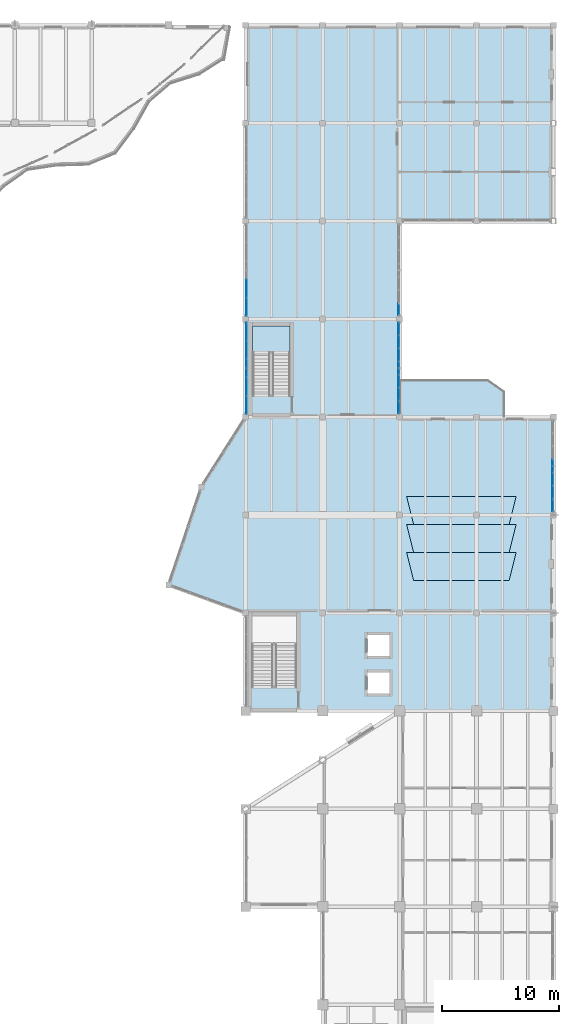
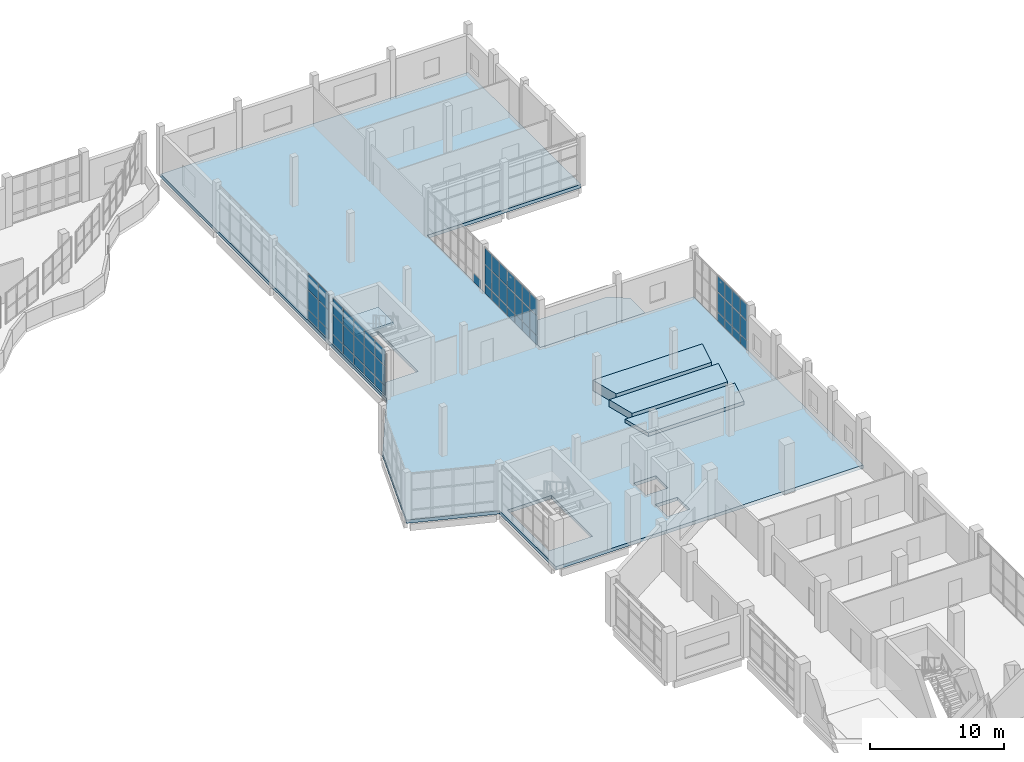
# One storey, part 40 of 76: 55 plates, 6 slabs, 6 elements without a shape of their own.
"""IFC4 building model written with IfcOpenShell, lengths in metres."""

from ifc_helpers import new_model, si_unit, direction, frame, origin, origin_2d, place, context, subcontext, project, spatial, polyline, rectangle, outline, extrude, material, layer, layer_set, type_object, element, aggregate, save


model = new_model("IFC4")

# Units and contexts
model_context = context("Model", 3, precision=1e-05, world=origin(), true_north=direction((0.0, 1.0)))
body_context = subcontext(model_context, "Body", "Model", "MODEL_VIEW")
ifc_project = project(units=[si_unit("LENGTHUNIT", "METRE"), si_unit("AREAUNIT", "SQUARE_METRE"), si_unit("VOLUMEUNIT", "CUBIC_METRE"), si_unit("PLANEANGLEUNIT", "RADIAN"), si_unit("MASSUNIT", "GRAM", prefix="KILO")], contexts=[model_context])

# Site, building, storey
site_placement = place(None, origin())
site = spatial("IfcSite", under=ifc_project, at=site_placement, CompositionType="ELEMENT")
building_placement = place(site_placement, origin())
building = spatial("IfcBuilding", under=site, at=building_placement, Name="Qaldarim Faculty of Natural and Applied Sciences", CompositionType="ELEMENT")
storey_placement = place(building_placement, frame((0.0, 0.0, 9.89990234375)))
storey = spatial("IfcBuildingStorey", under=building, at=storey_placement, Name="L02", CompositionType="ELEMENT", Elevation=9.89990234375)

# Slabs
ifc_material_1 = material(Name="Concrete C40/50", Category="concrete")
ifc_layer_1 = layer(ifc_material_1, 0.239990234375)
ifc_layer_set_1 = layer_set([ifc_layer_1], Name="Concrete C40/50")
slab_type_1 = type_object("IfcSlabType", Name="LectureSeatingTier-240", PredefinedType="USERDEFINED", material=ifc_layer_set_1)
slab_1_placement = place(storey_placement, origin())
element("IfcSlab", 1, at=slab_1_placement, inside=storey, type_object=slab_type_1, Name="Commons stepped reading tier L02 step 1", ObjectType="SEATING TIER", PredefinedType="USERDEFINED", context=body_context, shape_type="SweptSolid", body=[
    extrude(outline(polyline([(166.199951171875, 70.0), (174.39990234375, 70.0), (175.0, 72.39990234375), (165.60009765625, 72.39990234375), (166.199951171875, 70.0)])), origin(), (0.0, 0.0, 1.0), 0.320068359375),
])
slab_2_placement = place(storey_placement, origin())
element("IfcSlab", 2, at=slab_2_placement, inside=storey, type_object=slab_type_1, Name="Commons stepped reading tier L02 step 2", ObjectType="SEATING TIER", PredefinedType="USERDEFINED", context=body_context, shape_type="SweptSolid", body=[
    extrude(outline(polyline([(166.199951171875, 72.39990234375), (174.39990234375, 72.39990234375), (175.0, 74.800048828125), (165.60009765625, 74.800048828125), (166.199951171875, 72.39990234375)])), origin(), (0.0, 0.0, 1.0), 0.64013671875),
])
slab_3_placement = place(storey_placement, origin())
element("IfcSlab", 3, at=slab_3_placement, inside=storey, type_object=slab_type_1, Name="Commons stepped reading tier L02 step 3", ObjectType="SEATING TIER", PredefinedType="USERDEFINED", context=body_context, shape_type="SweptSolid", body=[
    extrude(outline(polyline([(166.199951171875, 74.800048828125), (174.39990234375, 74.800048828125), (175.0, 77.199951171875), (165.60009765625, 77.199951171875), (166.199951171875, 74.800048828125)])), origin(), (0.0, 0.0, 1.0), 0.960205078125),
])
ifc_layer_2 = layer(ifc_material_1, 0.300048828125)
ifc_layer_set_2 = layer_set([ifc_layer_2], Name="Concrete C40/50")
slab_type_2 = type_object("IfcSlabType", Name="PodiumFloorSlab-300", PredefinedType="FLOOR", material=ifc_layer_set_2)
slab_4_placement = place(storey_placement, frame((0.0, 0.0, -0.2998046875)))
element("IfcSlab", 4, at=slab_4_placement, inside=storey, type_object=slab_type_2, Name="Floor slab L02 V3", PredefinedType="FLOOR", context=body_context, shape_type="SweptSolid", body=[
    extrude(outline(polyline([(148.0, 78.0), (151.800048828125, 84.0), (151.800048828125, 117.60009765625), (178.199951171875, 117.60009765625), (178.199951171875, 100.800048828125), (165.0, 100.800048828125), (165.0, 84.0), (178.199951171875, 84.0), (178.199951171875, 58.800048828125), (151.800048828125, 58.800048828125), (151.800048828125, 67.199951171875), (145.199951171875, 69.60009765625), (148.0, 78.0)]), holes=[polyline([(156.14990234375, 60.864990234375), (156.14990234375, 66.97509765625), (152.35009765625, 66.97509765625), (152.35009765625, 60.864990234375), (156.14990234375, 60.864990234375)]), polyline([(155.60009765625, 85.864990234375), (155.60009765625, 91.824951171875), (152.39990234375, 91.824951171875), (152.39990234375, 85.864990234375), (155.60009765625, 85.864990234375)]), polyline([(162.25, 60.300048828125), (164.14990234375, 60.300048828125), (164.14990234375, 62.10009765625), (162.25, 62.10009765625), (162.25, 60.300048828125)]), polyline([(162.25, 63.5), (164.14990234375, 63.5), (164.14990234375, 65.300048828125), (162.25, 65.300048828125), (162.25, 63.5)])]), origin(), (0.0, 0.0, 1.0), 0.2998046875),
])

# Curtain wall, plates
ifc_material_2 = material(Name="Anodised aluminium AW-6063", Category="aluminium")
curtain_wall_type_1 = type_object("IfcCurtainWallType", Name="CurtainWallSystem-M1200", PredefinedType="USERDEFINED", material=ifc_material_2)
curtain_wall_1_placement = place(storey_placement, origin())
curtain_wall_1 = element("IfcCurtainWall", 5, at=curtain_wall_1_placement, inside=storey, type_object=curtain_wall_type_1, Name="Curtain wall CW-L02-E-X25Y11", ObjectType="STICK CURTAIN WALL", PredefinedType="USERDEFINED")
ifc_material_3 = material(Name="Insulated low-e double glazing", Category="glass")
ifc_layer_3 = layer(ifc_material_3, 0.031982421875)
ifc_layer_set_3 = layer_set([ifc_layer_3], Name="Insulated low-e double glazing")
plate_type_1 = type_object("IfcPlateType", Name="SolarControlGlazingPanel-32", PredefinedType="CURTAIN_PANEL", material=ifc_layer_set_3)
plate_1_placement = place(storey_placement, frame((164.919921875, 84.827392578125, 0.070068359375), z_axis=(0.0, 0.0, 1.0), x_axis=(0.0, 1.0, 0.0)))
plate_1 = element("IfcPlate", 6, at=plate_1_placement, type_object=plate_type_1, Name="Glazed panel 1-1 of CW-L02-E-X25Y11", PredefinedType="CURTAIN_PANEL", context=body_context, shape_type="SweptSolid", body=[
    extrude(rectangle(XDim=1.02490234375, YDim=0.031982421875, at=origin_2d()), origin(), (0.0, 0.0, 1.0), 0.794921875),
])
plate_2_placement = place(storey_placement, frame((164.919921875, 84.827392578125, 0.93505859375), z_axis=(0.0, 0.0, 1.0), x_axis=(0.0, 1.0, 0.0)))
plate_2 = element("IfcPlate", 7, at=plate_2_placement, type_object=plate_type_1, Name="Glazed panel 1-2 of CW-L02-E-X25Y11", PredefinedType="CURTAIN_PANEL", context=body_context, shape_type="SweptSolid", body=[
    extrude(rectangle(XDim=1.02490234375, YDim=0.031982421875, at=origin_2d()), origin(), (0.0, 0.0, 1.0), 1.72998046875),
])
plate_3_placement = place(storey_placement, frame((164.919921875, 84.827392578125, 2.735107421875), z_axis=(0.0, 0.0, 1.0), x_axis=(0.0, 1.0, 0.0)))
plate_3 = element("IfcPlate", 8, at=plate_3_placement, type_object=plate_type_1, Name="Glazed panel 1-3 of CW-L02-E-X25Y11", PredefinedType="CURTAIN_PANEL", context=body_context, shape_type="SweptSolid", body=[
    extrude(rectangle(XDim=1.02490234375, YDim=0.031982421875, at=origin_2d()), origin(), (0.0, 0.0, 1.0), 1.43505859375),
])
plate_4_placement = place(storey_placement, frame((164.919921875, 85.93994140625, 0.070068359375), z_axis=(0.0, 0.0, 1.0), x_axis=(0.0, 1.0, 0.0)))
plate_4 = element("IfcPlate", 9, at=plate_4_placement, type_object=plate_type_1, Name="Glazed panel 2-1 of CW-L02-E-X25Y11", PredefinedType="CURTAIN_PANEL", context=body_context, shape_type="SweptSolid", body=[
    extrude(rectangle(XDim=1.06005859375, YDim=0.031982421875, at=origin_2d()), origin(), (0.0, 0.0, 1.0), 0.794921875),
])
plate_5_placement = place(storey_placement, frame((164.919921875, 85.93994140625, 0.93505859375), z_axis=(0.0, 0.0, 1.0), x_axis=(0.0, 1.0, 0.0)))
plate_5 = element("IfcPlate", 10, at=plate_5_placement, type_object=plate_type_1, Name="Glazed panel 2-2 of CW-L02-E-X25Y11", PredefinedType="CURTAIN_PANEL", context=body_context, shape_type="SweptSolid", body=[
    extrude(rectangle(XDim=1.06005859375, YDim=0.031982421875, at=origin_2d()), origin(), (0.0, 0.0, 1.0), 1.72998046875),
])
plate_6_placement = place(storey_placement, frame((164.919921875, 85.93994140625, 2.735107421875), z_axis=(0.0, 0.0, 1.0), x_axis=(0.0, 1.0, 0.0)))
plate_6 = element("IfcPlate", 11, at=plate_6_placement, type_object=plate_type_1, Name="Glazed panel 2-3 of CW-L02-E-X25Y11", PredefinedType="CURTAIN_PANEL", context=body_context, shape_type="SweptSolid", body=[
    extrude(rectangle(XDim=1.06005859375, YDim=0.031982421875, at=origin_2d()), origin(), (0.0, 0.0, 1.0), 1.43505859375),
])
plate_7_placement = place(storey_placement, frame((164.919921875, 87.070068359375, 0.070068359375), z_axis=(0.0, 0.0, 1.0), x_axis=(0.0, 1.0, 0.0)))
plate_7 = element("IfcPlate", 12, at=plate_7_placement, type_object=plate_type_1, Name="Glazed panel 3-1 of CW-L02-E-X25Y11", PredefinedType="CURTAIN_PANEL", context=body_context, shape_type="SweptSolid", body=[
    extrude(rectangle(XDim=1.06005859375, YDim=0.031982421875, at=origin_2d()), origin(), (0.0, 0.0, 1.0), 0.794921875),
])
plate_8_placement = place(storey_placement, frame((164.919921875, 87.070068359375, 0.93505859375), z_axis=(0.0, 0.0, 1.0), x_axis=(0.0, 1.0, 0.0)))
plate_8 = element("IfcPlate", 13, at=plate_8_placement, type_object=plate_type_1, Name="Glazed panel 3-2 of CW-L02-E-X25Y11", PredefinedType="CURTAIN_PANEL", context=body_context, shape_type="SweptSolid", body=[
    extrude(rectangle(XDim=1.06005859375, YDim=0.031982421875, at=origin_2d()), origin(), (0.0, 0.0, 1.0), 1.72998046875),
])
plate_9_placement = place(storey_placement, frame((164.919921875, 87.070068359375, 2.735107421875), z_axis=(0.0, 0.0, 1.0), x_axis=(0.0, 1.0, 0.0)))
plate_9 = element("IfcPlate", 14, at=plate_9_placement, type_object=plate_type_1, Name="Glazed panel 3-3 of CW-L02-E-X25Y11", PredefinedType="CURTAIN_PANEL", context=body_context, shape_type="SweptSolid", body=[
    extrude(rectangle(XDim=1.06005859375, YDim=0.031982421875, at=origin_2d()), origin(), (0.0, 0.0, 1.0), 1.43505859375),
])
plate_10_placement = place(storey_placement, frame((164.919921875, 88.199951171875, 0.070068359375), z_axis=(0.0, 0.0, 1.0), x_axis=(0.0, 1.0, 0.0)))
plate_10 = element("IfcPlate", 15, at=plate_10_placement, type_object=plate_type_1, Name="Glazed panel 4-1 of CW-L02-E-X25Y11", PredefinedType="CURTAIN_PANEL", context=body_context, shape_type="SweptSolid", body=[
    extrude(rectangle(XDim=1.06005859375, YDim=0.031982421875, at=origin_2d()), origin(), (0.0, 0.0, 1.0), 0.794921875),
])
plate_11_placement = place(storey_placement, frame((164.919921875, 88.199951171875, 0.93505859375), z_axis=(0.0, 0.0, 1.0), x_axis=(0.0, 1.0, 0.0)))
plate_11 = element("IfcPlate", 16, at=plate_11_placement, type_object=plate_type_1, Name="Glazed panel 4-2 of CW-L02-E-X25Y11", PredefinedType="CURTAIN_PANEL", context=body_context, shape_type="SweptSolid", body=[
    extrude(rectangle(XDim=1.06005859375, YDim=0.031982421875, at=origin_2d()), origin(), (0.0, 0.0, 1.0), 1.72998046875),
])
plate_12_placement = place(storey_placement, frame((164.919921875, 88.199951171875, 2.735107421875), z_axis=(0.0, 0.0, 1.0), x_axis=(0.0, 1.0, 0.0)))
plate_12 = element("IfcPlate", 17, at=plate_12_placement, type_object=plate_type_1, Name="Glazed panel 4-3 of CW-L02-E-X25Y11", PredefinedType="CURTAIN_PANEL", context=body_context, shape_type="SweptSolid", body=[
    extrude(rectangle(XDim=1.06005859375, YDim=0.031982421875, at=origin_2d()), origin(), (0.0, 0.0, 1.0), 1.43505859375),
])
plate_13_placement = place(storey_placement, frame((164.919921875, 89.330078125, 0.070068359375), z_axis=(0.0, 0.0, 1.0), x_axis=(0.0, 1.0, 0.0)))
plate_13 = element("IfcPlate", 18, at=plate_13_placement, type_object=plate_type_1, Name="Glazed panel 5-1 of CW-L02-E-X25Y11", PredefinedType="CURTAIN_PANEL", context=body_context, shape_type="SweptSolid", body=[
    extrude(rectangle(XDim=1.06005859375, YDim=0.031982421875, at=origin_2d()), origin(), (0.0, 0.0, 1.0), 0.794921875),
])
plate_14_placement = place(storey_placement, frame((164.919921875, 89.330078125, 0.93505859375), z_axis=(0.0, 0.0, 1.0), x_axis=(0.0, 1.0, 0.0)))
plate_14 = element("IfcPlate", 19, at=plate_14_placement, type_object=plate_type_1, Name="Glazed panel 5-2 of CW-L02-E-X25Y11", PredefinedType="CURTAIN_PANEL", context=body_context, shape_type="SweptSolid", body=[
    extrude(rectangle(XDim=1.06005859375, YDim=0.031982421875, at=origin_2d()), origin(), (0.0, 0.0, 1.0), 1.72998046875),
])
plate_15_placement = place(storey_placement, frame((164.919921875, 89.330078125, 2.735107421875), z_axis=(0.0, 0.0, 1.0), x_axis=(0.0, 1.0, 0.0)))
plate_15 = element("IfcPlate", 20, at=plate_15_placement, type_object=plate_type_1, Name="Glazed panel 5-3 of CW-L02-E-X25Y11", PredefinedType="CURTAIN_PANEL", context=body_context, shape_type="SweptSolid", body=[
    extrude(rectangle(XDim=1.06005859375, YDim=0.031982421875, at=origin_2d()), origin(), (0.0, 0.0, 1.0), 1.43505859375),
])
plate_16_placement = place(storey_placement, frame((164.919921875, 90.4599609375, 0.070068359375), z_axis=(0.0, 0.0, 1.0), x_axis=(0.0, 1.0, 0.0)))
plate_16 = element("IfcPlate", 21, at=plate_16_placement, type_object=plate_type_1, Name="Glazed panel 6-1 of CW-L02-E-X25Y11", PredefinedType="CURTAIN_PANEL", context=body_context, shape_type="SweptSolid", body=[
    extrude(rectangle(XDim=1.06005859375, YDim=0.031982421875, at=origin_2d()), origin(), (0.0, 0.0, 1.0), 0.794921875),
])
plate_17_placement = place(storey_placement, frame((164.919921875, 90.4599609375, 0.93505859375), z_axis=(0.0, 0.0, 1.0), x_axis=(0.0, 1.0, 0.0)))
plate_17 = element("IfcPlate", 22, at=plate_17_placement, type_object=plate_type_1, Name="Glazed panel 6-2 of CW-L02-E-X25Y11", PredefinedType="CURTAIN_PANEL", context=body_context, shape_type="SweptSolid", body=[
    extrude(rectangle(XDim=1.06005859375, YDim=0.031982421875, at=origin_2d()), origin(), (0.0, 0.0, 1.0), 1.72998046875),
])
plate_18_placement = place(storey_placement, frame((164.919921875, 90.4599609375, 2.735107421875), z_axis=(0.0, 0.0, 1.0), x_axis=(0.0, 1.0, 0.0)))
plate_18 = element("IfcPlate", 23, at=plate_18_placement, type_object=plate_type_1, Name="Glazed panel 6-3 of CW-L02-E-X25Y11", PredefinedType="CURTAIN_PANEL", context=body_context, shape_type="SweptSolid", body=[
    extrude(rectangle(XDim=1.06005859375, YDim=0.031982421875, at=origin_2d()), origin(), (0.0, 0.0, 1.0), 1.43505859375),
])
plate_19_placement = place(storey_placement, frame((164.919921875, 91.572509765625, 0.070068359375), z_axis=(0.0, 0.0, 1.0), x_axis=(0.0, 1.0, 0.0)))
plate_19 = element("IfcPlate", 24, at=plate_19_placement, type_object=plate_type_1, Name="Glazed panel 7-1 of CW-L02-E-X25Y11", PredefinedType="CURTAIN_PANEL", context=body_context, shape_type="SweptSolid", body=[
    extrude(rectangle(XDim=1.02490234375, YDim=0.031982421875, at=origin_2d()), origin(), (0.0, 0.0, 1.0), 0.794921875),
])
plate_20_placement = place(storey_placement, frame((164.919921875, 91.572509765625, 0.93505859375), z_axis=(0.0, 0.0, 1.0), x_axis=(0.0, 1.0, 0.0)))
plate_20 = element("IfcPlate", 25, at=plate_20_placement, type_object=plate_type_1, Name="Glazed panel 7-2 of CW-L02-E-X25Y11", PredefinedType="CURTAIN_PANEL", context=body_context, shape_type="SweptSolid", body=[
    extrude(rectangle(XDim=1.02490234375, YDim=0.031982421875, at=origin_2d()), origin(), (0.0, 0.0, 1.0), 1.72998046875),
])
plate_21_placement = place(storey_placement, frame((164.919921875, 91.572509765625, 2.735107421875), z_axis=(0.0, 0.0, 1.0), x_axis=(0.0, 1.0, 0.0)))
plate_21 = element("IfcPlate", 26, at=plate_21_placement, type_object=plate_type_1, Name="Glazed panel 7-3 of CW-L02-E-X25Y11", PredefinedType="CURTAIN_PANEL", context=body_context, shape_type="SweptSolid", body=[
    extrude(rectangle(XDim=1.02490234375, YDim=0.031982421875, at=origin_2d()), origin(), (0.0, 0.0, 1.0), 1.43505859375),
])
aggregate(curtain_wall_1, [plate_1, plate_2, plate_3, plate_4, plate_5, plate_6, plate_7, plate_8, plate_9, plate_10, plate_11, plate_12, plate_13, plate_14, plate_15, plate_16, plate_17, plate_18, plate_19, plate_20, plate_21])

# Curtain wall, plate
curtain_wall_2_placement = place(storey_placement, origin())
curtain_wall_2 = element("IfcCurtainWall", 27, at=curtain_wall_2_placement, inside=storey, type_object=curtain_wall_type_1, Name="Curtain wall CW-L02-E-X25Y12", ObjectType="STICK CURTAIN WALL", PredefinedType="USERDEFINED")
plate_22_placement = place(storey_placement, frame((164.919921875, 93.2275390625, 0.070068359375), z_axis=(0.0, 0.0, 1.0), x_axis=(0.0, 1.0, 0.0)))
plate_22 = element("IfcPlate", 28, at=plate_22_placement, type_object=plate_type_1, Name="Glazed panel 1-1 of CW-L02-E-X25Y12", PredefinedType="CURTAIN_PANEL", context=body_context, shape_type="SweptSolid", body=[
    extrude(rectangle(XDim=1.02490234375, YDim=0.031982421875, at=origin_2d()), origin(), (0.0, 0.0, 1.0), 0.794921875),
])
aggregate(curtain_wall_2, [plate_22])

# Curtain wall, plates
curtain_wall_3_placement = place(storey_placement, origin())
curtain_wall_3 = element("IfcCurtainWall", 29, at=curtain_wall_3_placement, inside=storey, type_object=curtain_wall_type_1, Name="Curtain wall CW-L02-E-X27Y10", ObjectType="STICK CURTAIN WALL", PredefinedType="USERDEFINED")
plate_23_placement = place(storey_placement, frame((178.1201171875, 76.427490234375, 0.070068359375), z_axis=(0.0, 0.0, 1.0), x_axis=(0.0, 1.0, 0.0)))
plate_23 = element("IfcPlate", 30, at=plate_23_placement, type_object=plate_type_1, Name="Glazed panel 1-1 of CW-L02-E-X27Y10", PredefinedType="CURTAIN_PANEL", context=body_context, shape_type="SweptSolid", body=[
    extrude(rectangle(XDim=1.02490234375, YDim=0.031982421875, at=origin_2d()), origin(), (0.0, 0.0, 1.0), 0.794921875),
])
plate_24_placement = place(storey_placement, frame((178.1201171875, 76.427490234375, 0.93505859375), z_axis=(0.0, 0.0, 1.0), x_axis=(0.0, 1.0, 0.0)))
plate_24 = element("IfcPlate", 31, at=plate_24_placement, type_object=plate_type_1, Name="Glazed panel 1-2 of CW-L02-E-X27Y10", PredefinedType="CURTAIN_PANEL", context=body_context, shape_type="SweptSolid", body=[
    extrude(rectangle(XDim=1.02490234375, YDim=0.031982421875, at=origin_2d()), origin(), (0.0, 0.0, 1.0), 1.72998046875),
])
plate_25_placement = place(storey_placement, frame((178.1201171875, 76.427490234375, 2.735107421875), z_axis=(0.0, 0.0, 1.0), x_axis=(0.0, 1.0, 0.0)))
plate_25 = element("IfcPlate", 32, at=plate_25_placement, type_object=plate_type_1, Name="Glazed panel 1-3 of CW-L02-E-X27Y10", PredefinedType="CURTAIN_PANEL", context=body_context, shape_type="SweptSolid", body=[
    extrude(rectangle(XDim=1.02490234375, YDim=0.031982421875, at=origin_2d()), origin(), (0.0, 0.0, 1.0), 1.43505859375),
])
plate_26_placement = place(storey_placement, frame((178.1201171875, 77.5400390625, 0.070068359375), z_axis=(0.0, 0.0, 1.0), x_axis=(0.0, 1.0, 0.0)))
plate_26 = element("IfcPlate", 33, at=plate_26_placement, type_object=plate_type_1, Name="Glazed panel 2-1 of CW-L02-E-X27Y10", PredefinedType="CURTAIN_PANEL", context=body_context, shape_type="SweptSolid", body=[
    extrude(rectangle(XDim=1.06005859375, YDim=0.031982421875, at=origin_2d()), origin(), (0.0, 0.0, 1.0), 0.794921875),
])
plate_27_placement = place(storey_placement, frame((178.1201171875, 77.5400390625, 0.93505859375), z_axis=(0.0, 0.0, 1.0), x_axis=(0.0, 1.0, 0.0)))
plate_27 = element("IfcPlate", 34, at=plate_27_placement, type_object=plate_type_1, Name="Glazed panel 2-2 of CW-L02-E-X27Y10", PredefinedType="CURTAIN_PANEL", context=body_context, shape_type="SweptSolid", body=[
    extrude(rectangle(XDim=1.06005859375, YDim=0.031982421875, at=origin_2d()), origin(), (0.0, 0.0, 1.0), 1.72998046875),
])
plate_28_placement = place(storey_placement, frame((178.1201171875, 77.5400390625, 2.735107421875), z_axis=(0.0, 0.0, 1.0), x_axis=(0.0, 1.0, 0.0)))
plate_28 = element("IfcPlate", 35, at=plate_28_placement, type_object=plate_type_1, Name="Glazed panel 2-3 of CW-L02-E-X27Y10", PredefinedType="CURTAIN_PANEL", context=body_context, shape_type="SweptSolid", body=[
    extrude(rectangle(XDim=1.06005859375, YDim=0.031982421875, at=origin_2d()), origin(), (0.0, 0.0, 1.0), 1.43505859375),
])
plate_29_placement = place(storey_placement, frame((178.1201171875, 78.669921875, 0.070068359375), z_axis=(0.0, 0.0, 1.0), x_axis=(0.0, 1.0, 0.0)))
plate_29 = element("IfcPlate", 36, at=plate_29_placement, type_object=plate_type_1, Name="Glazed panel 3-1 of CW-L02-E-X27Y10", PredefinedType="CURTAIN_PANEL", context=body_context, shape_type="SweptSolid", body=[
    extrude(rectangle(XDim=1.06005859375, YDim=0.031982421875, at=origin_2d()), origin(), (0.0, 0.0, 1.0), 0.794921875),
])
plate_30_placement = place(storey_placement, frame((178.1201171875, 78.669921875, 0.93505859375), z_axis=(0.0, 0.0, 1.0), x_axis=(0.0, 1.0, 0.0)))
plate_30 = element("IfcPlate", 37, at=plate_30_placement, type_object=plate_type_1, Name="Glazed panel 3-2 of CW-L02-E-X27Y10", PredefinedType="CURTAIN_PANEL", context=body_context, shape_type="SweptSolid", body=[
    extrude(rectangle(XDim=1.06005859375, YDim=0.031982421875, at=origin_2d()), origin(), (0.0, 0.0, 1.0), 1.72998046875),
])
plate_31_placement = place(storey_placement, frame((178.1201171875, 78.669921875, 2.735107421875), z_axis=(0.0, 0.0, 1.0), x_axis=(0.0, 1.0, 0.0)))
plate_31 = element("IfcPlate", 38, at=plate_31_placement, type_object=plate_type_1, Name="Glazed panel 3-3 of CW-L02-E-X27Y10", PredefinedType="CURTAIN_PANEL", context=body_context, shape_type="SweptSolid", body=[
    extrude(rectangle(XDim=1.06005859375, YDim=0.031982421875, at=origin_2d()), origin(), (0.0, 0.0, 1.0), 1.43505859375),
])
plate_32_placement = place(storey_placement, frame((178.1201171875, 79.800048828125, 0.070068359375), z_axis=(0.0, 0.0, 1.0), x_axis=(0.0, 1.0, 0.0)))
plate_32 = element("IfcPlate", 39, at=plate_32_placement, type_object=plate_type_1, Name="Glazed panel 4-1 of CW-L02-E-X27Y10", PredefinedType="CURTAIN_PANEL", context=body_context, shape_type="SweptSolid", body=[
    extrude(rectangle(XDim=1.06005859375, YDim=0.031982421875, at=origin_2d()), origin(), (0.0, 0.0, 1.0), 0.794921875),
])
plate_33_placement = place(storey_placement, frame((178.1201171875, 79.800048828125, 0.93505859375), z_axis=(0.0, 0.0, 1.0), x_axis=(0.0, 1.0, 0.0)))
plate_33 = element("IfcPlate", 40, at=plate_33_placement, type_object=plate_type_1, Name="Glazed panel 4-2 of CW-L02-E-X27Y10", PredefinedType="CURTAIN_PANEL", context=body_context, shape_type="SweptSolid", body=[
    extrude(rectangle(XDim=1.06005859375, YDim=0.031982421875, at=origin_2d()), origin(), (0.0, 0.0, 1.0), 1.72998046875),
])
plate_34_placement = place(storey_placement, frame((178.1201171875, 79.800048828125, 2.735107421875), z_axis=(0.0, 0.0, 1.0), x_axis=(0.0, 1.0, 0.0)))
plate_34 = element("IfcPlate", 41, at=plate_34_placement, type_object=plate_type_1, Name="Glazed panel 4-3 of CW-L02-E-X27Y10", PredefinedType="CURTAIN_PANEL", context=body_context, shape_type="SweptSolid", body=[
    extrude(rectangle(XDim=1.06005859375, YDim=0.031982421875, at=origin_2d()), origin(), (0.0, 0.0, 1.0), 1.43505859375),
])
aggregate(curtain_wall_3, [plate_23, plate_24, plate_25, plate_26, plate_27, plate_28, plate_29, plate_30, plate_31, plate_32, plate_33, plate_34])

# Stair, slab
stair_type = type_object("IfcStairType", Name="DoglegStair-W1500-H4500-28R", PredefinedType="HALF_TURN_STAIR", material=ifc_material_1)
stair_placement = place(storey_placement, origin())
stair = element("IfcStair", 42, at=stair_placement, inside=storey, type_object=stair_type, Name="Enclosed exit stair ST-C2 L02", PredefinedType="HALF_TURN_STAIR")
ifc_layer_4 = layer(ifc_material_1, 0.2099609375)
ifc_layer_set_4 = layer_set([ifc_layer_4], Name="Concrete C40/50")
slab_type_3 = type_object("IfcSlabType", Name="StairLandingSlab-210", PredefinedType="LANDING", material=ifc_layer_set_4)
slab_5_placement = place(storey_placement, frame((0.0, 0.0, 2.0400390625)))
slab_5 = element("IfcSlab", 43, at=slab_5_placement, type_object=slab_type_3, Name="ST-C2 L02 half-landing 1", PredefinedType="LANDING", context=body_context, shape_type="SweptSolid", body=[
    extrude(outline(polyline([(155.60009765625, 89.5400390625), (155.60009765625, 91.800048828125), (152.39990234375, 91.800048828125), (152.39990234375, 89.5400390625), (155.60009765625, 89.5400390625)])), origin(), (0.0, 0.0, 1.0), 0.2099609375),
])
aggregate(stair, [slab_5])

# Slab
ifc_layer_5 = layer(ifc_material_1, 0.179931640625)
ifc_layer_set_5 = layer_set([ifc_layer_5], Name="Concrete C40/50")
slab_type_4 = type_object("IfcSlabType", Name="TerraceBalconySlab-180", PredefinedType="FLOOR", material=ifc_layer_set_5)
slab_6_placement = place(storey_placement, frame((0.0, 0.0, -0.179931640625)))
element("IfcSlab", 44, at=slab_6_placement, inside=storey, type_object=slab_type_4, Name="East botanical court reading balcony L02", PredefinedType="FLOOR", context=body_context, shape_type="SweptSolid", body=[
    extrude(outline(polyline([(165.0, 84.0), (174.0, 84.0), (174.0, 86.199951171875), (172.60009765625, 87.199951171875), (165.0, 87.199951171875), (165.0, 84.0)])), origin(), (0.0, 0.0, 1.0), 0.179931640625),
])

# Curtain wall, plates
curtain_wall_type_2 = type_object("IfcCurtainWallType", Name="CurtainWallSystem-M1600", PredefinedType="USERDEFINED", material=ifc_material_2)
curtain_wall_4_placement = place(storey_placement, origin())
curtain_wall_4 = element("IfcCurtainWall", 45, at=curtain_wall_4_placement, inside=storey, type_object=curtain_wall_type_2, Name="Curtain wall CW-L02-W-X24Y11", ObjectType="UNITISED FACADE", PredefinedType="USERDEFINED")
ifc_layer_6 = layer(ifc_material_3, 0.028076171875)
ifc_layer_set_6 = layer_set([ifc_layer_6], Name="Insulated low-e double glazing")
plate_type_2 = type_object("IfcPlateType", Name="VisionGlazingPanel-28", PredefinedType="CURTAIN_PANEL", material=ifc_layer_set_6)
plate_35_placement = place(storey_placement, frame((151.8798828125, 91.34912109375, 0.06005859375), z_axis=(0.0, 0.0, 1.0), x_axis=(0.0, -1.0, 0.0)))
plate_35 = element("IfcPlate", 46, at=plate_35_placement, type_object=plate_type_2, Name="Glazed panel 1-1 of CW-L02-W-X24Y11", PredefinedType="CURTAIN_PANEL", context=body_context, shape_type="SweptSolid", body=[
    extrude(rectangle(XDim=1.491943359375, YDim=0.028076171875, at=origin_2d()), origin(), (0.0, 0.0, 1.0), 0.81005859375),
])
plate_36_placement = place(storey_placement, frame((151.8798828125, 91.34912109375, 0.93017578125), z_axis=(0.0, 0.0, 1.0), x_axis=(0.0, -1.0, 0.0)))
plate_36 = element("IfcPlate", 47, at=plate_36_placement, type_object=plate_type_2, Name="Glazed panel 1-2 of CW-L02-W-X24Y11", PredefinedType="CURTAIN_PANEL", context=body_context, shape_type="SweptSolid", body=[
    extrude(rectangle(XDim=1.491943359375, YDim=0.028076171875, at=origin_2d()), origin(), (0.0, 0.0, 1.0), 1.739990234375),
])
plate_37_placement = place(storey_placement, frame((151.8798828125, 91.34912109375, 2.72998046875), z_axis=(0.0, 0.0, 1.0), x_axis=(0.0, -1.0, 0.0)))
plate_37 = element("IfcPlate", 48, at=plate_37_placement, type_object=plate_type_2, Name="Glazed panel 1-3 of CW-L02-W-X24Y11", PredefinedType="CURTAIN_PANEL", context=body_context, shape_type="SweptSolid", body=[
    extrude(rectangle(XDim=1.491943359375, YDim=0.028076171875, at=origin_2d()), origin(), (0.0, 0.0, 1.0), 1.449951171875),
])
plate_38_placement = place(storey_placement, frame((151.8798828125, 89.781982421875, 0.06005859375), z_axis=(0.0, 0.0, 1.0), x_axis=(0.0, -1.0, 0.0)))
plate_38 = element("IfcPlate", 49, at=plate_38_placement, type_object=plate_type_2, Name="Glazed panel 2-1 of CW-L02-W-X24Y11", PredefinedType="CURTAIN_PANEL", context=body_context, shape_type="SweptSolid", body=[
    extrude(rectangle(XDim=1.52197265625, YDim=0.028076171875, at=origin_2d()), origin(), (0.0, 0.0, 1.0), 0.81005859375),
])
plate_39_placement = place(storey_placement, frame((151.8798828125, 89.781982421875, 0.93017578125), z_axis=(0.0, 0.0, 1.0), x_axis=(0.0, -1.0, 0.0)))
plate_39 = element("IfcPlate", 50, at=plate_39_placement, type_object=plate_type_2, Name="Glazed panel 2-2 of CW-L02-W-X24Y11", PredefinedType="CURTAIN_PANEL", context=body_context, shape_type="SweptSolid", body=[
    extrude(rectangle(XDim=1.52197265625, YDim=0.028076171875, at=origin_2d()), origin(), (0.0, 0.0, 1.0), 1.739990234375),
])
plate_40_placement = place(storey_placement, frame((151.8798828125, 89.781982421875, 2.72998046875), z_axis=(0.0, 0.0, 1.0), x_axis=(0.0, -1.0, 0.0)))
plate_40 = element("IfcPlate", 51, at=plate_40_placement, type_object=plate_type_2, Name="Glazed panel 2-3 of CW-L02-W-X24Y11", PredefinedType="CURTAIN_PANEL", context=body_context, shape_type="SweptSolid", body=[
    extrude(rectangle(XDim=1.52197265625, YDim=0.028076171875, at=origin_2d()), origin(), (0.0, 0.0, 1.0), 1.449951171875),
])
plate_41_placement = place(storey_placement, frame((151.8798828125, 88.199951171875, 0.06005859375), z_axis=(0.0, 0.0, 1.0), x_axis=(0.0, -1.0, 0.0)))
plate_41 = element("IfcPlate", 52, at=plate_41_placement, type_object=plate_type_2, Name="Glazed panel 3-1 of CW-L02-W-X24Y11", PredefinedType="CURTAIN_PANEL", context=body_context, shape_type="SweptSolid", body=[
    extrude(rectangle(XDim=1.52197265625, YDim=0.028076171875, at=origin_2d()), origin(), (0.0, 0.0, 1.0), 0.81005859375),
])
plate_42_placement = place(storey_placement, frame((151.8798828125, 88.199951171875, 0.93017578125), z_axis=(0.0, 0.0, 1.0), x_axis=(0.0, -1.0, 0.0)))
plate_42 = element("IfcPlate", 53, at=plate_42_placement, type_object=plate_type_2, Name="Glazed panel 3-2 of CW-L02-W-X24Y11", PredefinedType="CURTAIN_PANEL", context=body_context, shape_type="SweptSolid", body=[
    extrude(rectangle(XDim=1.52197265625, YDim=0.028076171875, at=origin_2d()), origin(), (0.0, 0.0, 1.0), 1.739990234375),
])
plate_43_placement = place(storey_placement, frame((151.8798828125, 88.199951171875, 2.72998046875), z_axis=(0.0, 0.0, 1.0), x_axis=(0.0, -1.0, 0.0)))
plate_43 = element("IfcPlate", 54, at=plate_43_placement, type_object=plate_type_2, Name="Glazed panel 3-3 of CW-L02-W-X24Y11", PredefinedType="CURTAIN_PANEL", context=body_context, shape_type="SweptSolid", body=[
    extrude(rectangle(XDim=1.52197265625, YDim=0.028076171875, at=origin_2d()), origin(), (0.0, 0.0, 1.0), 1.449951171875),
])
plate_44_placement = place(storey_placement, frame((151.8798828125, 86.617919921875, 0.06005859375), z_axis=(0.0, 0.0, 1.0), x_axis=(0.0, -1.0, 0.0)))
plate_44 = element("IfcPlate", 55, at=plate_44_placement, type_object=plate_type_2, Name="Glazed panel 4-1 of CW-L02-W-X24Y11", PredefinedType="CURTAIN_PANEL", context=body_context, shape_type="SweptSolid", body=[
    extrude(rectangle(XDim=1.52197265625, YDim=0.028076171875, at=origin_2d()), origin(), (0.0, 0.0, 1.0), 0.81005859375),
])
plate_45_placement = place(storey_placement, frame((151.8798828125, 86.617919921875, 0.93017578125), z_axis=(0.0, 0.0, 1.0), x_axis=(0.0, -1.0, 0.0)))
plate_45 = element("IfcPlate", 56, at=plate_45_placement, type_object=plate_type_2, Name="Glazed panel 4-2 of CW-L02-W-X24Y11", PredefinedType="CURTAIN_PANEL", context=body_context, shape_type="SweptSolid", body=[
    extrude(rectangle(XDim=1.52197265625, YDim=0.028076171875, at=origin_2d()), origin(), (0.0, 0.0, 1.0), 1.739990234375),
])
plate_46_placement = place(storey_placement, frame((151.8798828125, 86.617919921875, 2.72998046875), z_axis=(0.0, 0.0, 1.0), x_axis=(0.0, -1.0, 0.0)))
plate_46 = element("IfcPlate", 57, at=plate_46_placement, type_object=plate_type_2, Name="Glazed panel 4-3 of CW-L02-W-X24Y11", PredefinedType="CURTAIN_PANEL", context=body_context, shape_type="SweptSolid", body=[
    extrude(rectangle(XDim=1.52197265625, YDim=0.028076171875, at=origin_2d()), origin(), (0.0, 0.0, 1.0), 1.449951171875),
])
plate_47_placement = place(storey_placement, frame((151.8798828125, 85.051025390625, 0.06005859375), z_axis=(0.0, 0.0, 1.0), x_axis=(0.0, -1.0, 0.0)))
plate_47 = element("IfcPlate", 58, at=plate_47_placement, type_object=plate_type_2, Name="Glazed panel 5-1 of CW-L02-W-X24Y11", PredefinedType="CURTAIN_PANEL", context=body_context, shape_type="SweptSolid", body=[
    extrude(rectangle(XDim=1.491943359375, YDim=0.028076171875, at=origin_2d()), origin(), (0.0, 0.0, 1.0), 0.81005859375),
])
plate_48_placement = place(storey_placement, frame((151.8798828125, 85.051025390625, 0.93017578125), z_axis=(0.0, 0.0, 1.0), x_axis=(0.0, -1.0, 0.0)))
plate_48 = element("IfcPlate", 59, at=plate_48_placement, type_object=plate_type_2, Name="Glazed panel 5-2 of CW-L02-W-X24Y11", PredefinedType="CURTAIN_PANEL", context=body_context, shape_type="SweptSolid", body=[
    extrude(rectangle(XDim=1.491943359375, YDim=0.028076171875, at=origin_2d()), origin(), (0.0, 0.0, 1.0), 1.739990234375),
])
plate_49_placement = place(storey_placement, frame((151.8798828125, 85.051025390625, 2.72998046875), z_axis=(0.0, 0.0, 1.0), x_axis=(0.0, -1.0, 0.0)))
plate_49 = element("IfcPlate", 60, at=plate_49_placement, type_object=plate_type_2, Name="Glazed panel 5-3 of CW-L02-W-X24Y11", PredefinedType="CURTAIN_PANEL", context=body_context, shape_type="SweptSolid", body=[
    extrude(rectangle(XDim=1.491943359375, YDim=0.028076171875, at=origin_2d()), origin(), (0.0, 0.0, 1.0), 1.449951171875),
])
aggregate(curtain_wall_4, [plate_35, plate_36, plate_37, plate_38, plate_39, plate_40, plate_41, plate_42, plate_43, plate_44, plate_45, plate_46, plate_47, plate_48, plate_49])

curtain_wall_5_placement = place(storey_placement, origin())
curtain_wall_5 = element("IfcCurtainWall", 61, at=curtain_wall_5_placement, inside=storey, type_object=curtain_wall_type_2, Name="Curtain wall CW-L02-W-X24Y12", ObjectType="UNITISED FACADE", PredefinedType="USERDEFINED")
plate_50_placement = place(storey_placement, frame((151.8798828125, 95.01806640625, 0.06005859375), z_axis=(0.0, 0.0, 1.0), x_axis=(0.0, -1.0, 0.0)))
plate_50 = element("IfcPlate", 62, at=plate_50_placement, type_object=plate_type_2, Name="Glazed panel 4-1 of CW-L02-W-X24Y12", PredefinedType="CURTAIN_PANEL", context=body_context, shape_type="SweptSolid", body=[
    extrude(rectangle(XDim=1.52197265625, YDim=0.028076171875, at=origin_2d()), origin(), (0.0, 0.0, 1.0), 0.81005859375),
])
plate_51_placement = place(storey_placement, frame((151.8798828125, 95.01806640625, 0.93017578125), z_axis=(0.0, 0.0, 1.0), x_axis=(0.0, -1.0, 0.0)))
plate_51 = element("IfcPlate", 63, at=plate_51_placement, type_object=plate_type_2, Name="Glazed panel 4-2 of CW-L02-W-X24Y12", PredefinedType="CURTAIN_PANEL", context=body_context, shape_type="SweptSolid", body=[
    extrude(rectangle(XDim=1.52197265625, YDim=0.028076171875, at=origin_2d()), origin(), (0.0, 0.0, 1.0), 1.739990234375),
])
plate_52_placement = place(storey_placement, frame((151.8798828125, 95.01806640625, 2.72998046875), z_axis=(0.0, 0.0, 1.0), x_axis=(0.0, -1.0, 0.0)))
plate_52 = element("IfcPlate", 64, at=plate_52_placement, type_object=plate_type_2, Name="Glazed panel 4-3 of CW-L02-W-X24Y12", PredefinedType="CURTAIN_PANEL", context=body_context, shape_type="SweptSolid", body=[
    extrude(rectangle(XDim=1.52197265625, YDim=0.028076171875, at=origin_2d()), origin(), (0.0, 0.0, 1.0), 1.449951171875),
])
plate_53_placement = place(storey_placement, frame((151.8798828125, 93.450927734375, 0.06005859375), z_axis=(0.0, 0.0, 1.0), x_axis=(0.0, -1.0, 0.0)))
plate_53 = element("IfcPlate", 65, at=plate_53_placement, type_object=plate_type_2, Name="Glazed panel 5-1 of CW-L02-W-X24Y12", PredefinedType="CURTAIN_PANEL", context=body_context, shape_type="SweptSolid", body=[
    extrude(rectangle(XDim=1.491943359375, YDim=0.028076171875, at=origin_2d()), origin(), (0.0, 0.0, 1.0), 0.81005859375),
])
plate_54_placement = place(storey_placement, frame((151.8798828125, 93.450927734375, 0.93017578125), z_axis=(0.0, 0.0, 1.0), x_axis=(0.0, -1.0, 0.0)))
plate_54 = element("IfcPlate", 66, at=plate_54_placement, type_object=plate_type_2, Name="Glazed panel 5-2 of CW-L02-W-X24Y12", PredefinedType="CURTAIN_PANEL", context=body_context, shape_type="SweptSolid", body=[
    extrude(rectangle(XDim=1.491943359375, YDim=0.028076171875, at=origin_2d()), origin(), (0.0, 0.0, 1.0), 1.739990234375),
])
plate_55_placement = place(storey_placement, frame((151.8798828125, 93.450927734375, 2.72998046875), z_axis=(0.0, 0.0, 1.0), x_axis=(0.0, -1.0, 0.0)))
plate_55 = element("IfcPlate", 67, at=plate_55_placement, type_object=plate_type_2, Name="Glazed panel 5-3 of CW-L02-W-X24Y12", PredefinedType="CURTAIN_PANEL", context=body_context, shape_type="SweptSolid", body=[
    extrude(rectangle(XDim=1.491943359375, YDim=0.028076171875, at=origin_2d()), origin(), (0.0, 0.0, 1.0), 1.449951171875),
])
aggregate(curtain_wall_5, [plate_50, plate_51, plate_52, plate_53, plate_54, plate_55])

save(model, "model.ifc")
